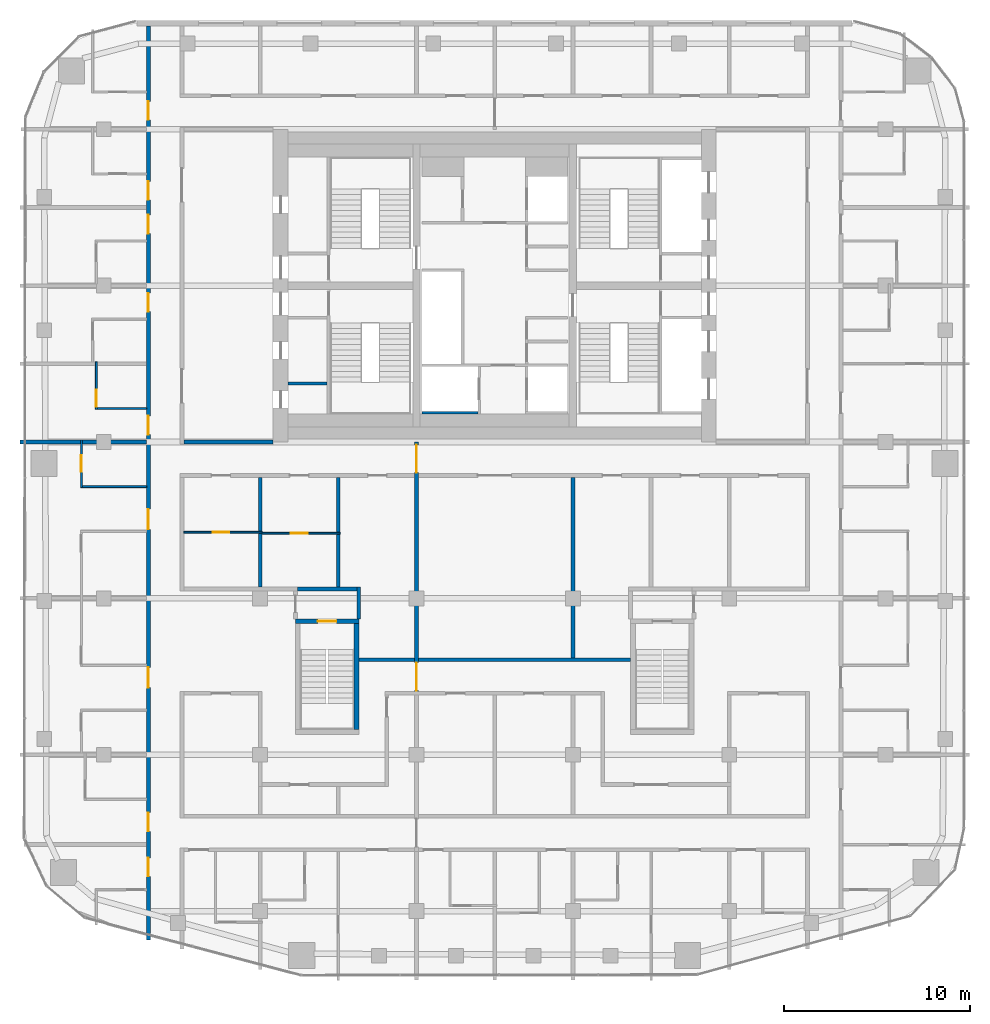
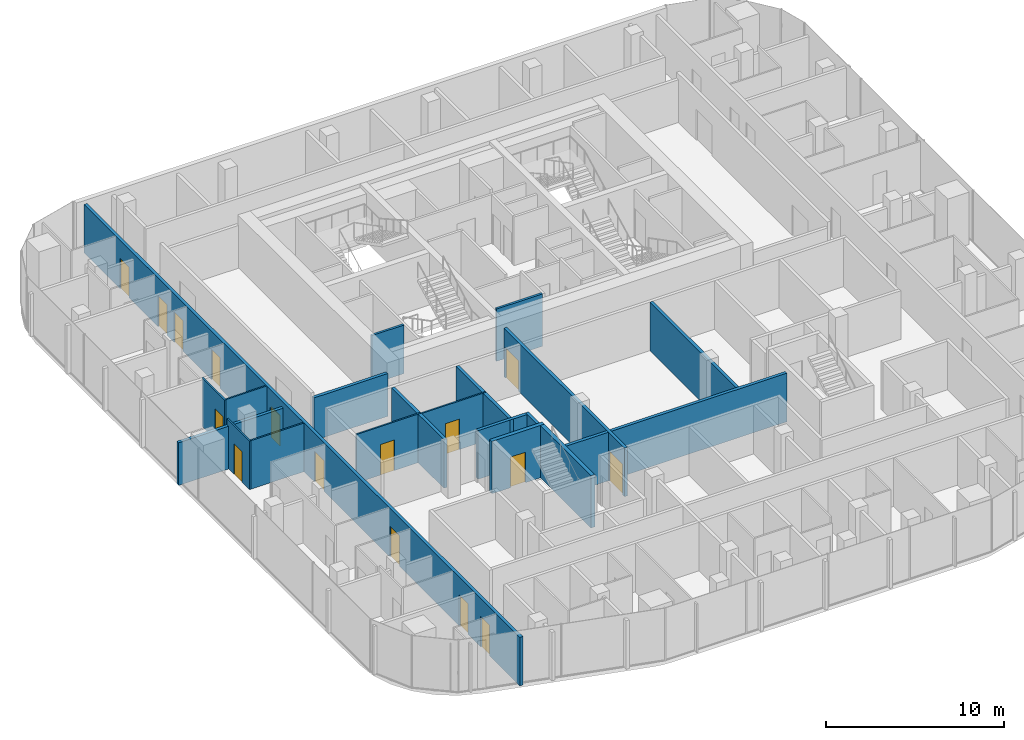
# One storey, part 15 of 22: 20 walls, 16 doors, 16 openings.
"""IFC4 building model written with IfcOpenShell, lengths in metres."""

from ifc_helpers import new_model, si_unit, direction, frame, frame_2d, origin, place, context, subcontext, project, spatial, rectangle, extrude, material, layer, layer_set, type_object, element, fill, save


model = new_model("IFC4")

# Units and contexts
model_context = context("Model", 3, precision=1e-05, world=origin(), true_north=direction((0.0, 1.0)))
body_context = subcontext(model_context, "Body", "Model", "MODEL_VIEW")
ifc_project = project(units=[si_unit("LENGTHUNIT", "METRE"), si_unit("AREAUNIT", "SQUARE_METRE"), si_unit("VOLUMEUNIT", "CUBIC_METRE"), si_unit("PLANEANGLEUNIT", "RADIAN"), si_unit("MASSUNIT", "GRAM", prefix="KILO")], contexts=[model_context])

# Site, building, storey
site_placement = place(None, origin())
site = spatial("IfcSite", under=ifc_project, at=site_placement, CompositionType="ELEMENT")
building_placement = place(site_placement, origin())
building = spatial("IfcBuilding", under=site, at=building_placement, Name="Marenta Gate Hotel Tower", CompositionType="ELEMENT")
storey_placement = place(building_placement, frame((0.0, 0.0, 238.10009765625)))
storey = spatial("IfcBuildingStorey", under=building, at=storey_placement, Name="L56", CompositionType="ELEMENT", Elevation=238.10009765625)

# Wall, openings, doors
ifc_material_1 = material(Name="Concrete blockwork", Category="masonry")
ifc_layer_1 = layer(ifc_material_1, 0.199951171875)
ifc_layer_set_1 = layer_set([ifc_layer_1], Name="Concrete blockwork")
wall_type_1 = type_object("IfcWallType", Name="Compartment wall 200 REI 180", PredefinedType="PARTITIONING", material=ifc_layer_set_1)
wall_1_placement = place(storey_placement, frame((-4.199951171875, -13.60009765625, 0.0), z_axis=(0.0, 0.0, 1.0), x_axis=(0.0, 1.0, 0.0)))
wall_1 = element("IfcWall", 1, at=wall_1_placement, inside=storey, type_object=wall_type_1, Name="L56-PTN-W080", PredefinedType="PARTITIONING", context=body_context, shape_type="SweptSolid", body=[
    extrude(rectangle(XDim=13.60009765625, YDim=0.199951171875, at=frame_2d((6.800048828125, 0.0))), origin(), (0.0, 0.0, 1.0), 3.33984375),
])
opening_1_placement = place(wall_1_placement, frame((11.949951171875, 0.0, 0.0)))
opening_1 = element("IfcOpeningElement", 2, at=opening_1_placement, cuts=wall_1, Name="Opening G20-FD2", PredefinedType="OPENING", context=body_context, shape_type="SweptSolid", body=[
    extrude(rectangle(XDim=1.5, YDim=2.10009765625, at=frame_2d((0.75, 1.050048828125))), frame((0.0, 0.10009765625, 0.0), z_axis=(0.0, -1.0, 0.0), x_axis=(1.0, 0.0, 0.0)), (0.0, 0.0, 1.0), 0.199951171875),
])
opening_2_placement = place(wall_1_placement, frame((0.25, 0.0, 0.0)))
opening_2 = element("IfcOpeningElement", 3, at=opening_2_placement, cuts=wall_1, Name="Opening G20-FD3", PredefinedType="OPENING", context=body_context, shape_type="SweptSolid", body=[
    extrude(rectangle(XDim=1.5, YDim=2.10009765625, at=frame_2d((0.75, 1.050048828125))), frame((0.0, 0.10009765625, 0.0), z_axis=(0.0, -1.0, 0.0), x_axis=(1.0, 0.0, 0.0)), (0.0, 0.0, 1.0), 0.199951171875),
])
ifc_material_2 = material(Name="Hollow steel door set", Category="steel")
door_type_1 = type_object("IfcDoorType", Name="Compartment fire door 1500x2100 EI 60", OperationType="DOUBLE_DOOR_DOUBLE_SWING", PredefinedType="DOOR", material=ifc_material_2)
door_1_placement = place(opening_1_placement, origin())
door_1 = element("IfcDoor", 4, at=door_1_placement, inside=storey, type_object=door_type_1, Name="L56-PD-FD02", OperationType="DOUBLE_DOOR_DOUBLE_SWING", OverallHeight=2.10009765625, OverallWidth=1.5, PredefinedType="DOOR", context=body_context, shape_type="SweptSolid", body=[
    extrude(rectangle(XDim=1.5, YDim=2.10009765625, at=frame_2d((0.75, 1.050048828125))), frame((0.0, 0.02490234375, 0.0), z_axis=(0.0, -1.0, 0.0), x_axis=(1.0, 0.0, 0.0)), (0.0, 0.0, 1.0), 0.050048828125),
])
fill(opening_1, door_1)
door_2_placement = place(opening_2_placement, origin())
door_2 = element("IfcDoor", 5, at=door_2_placement, inside=storey, type_object=door_type_1, Name="L56-PD-FD03", OperationType="DOUBLE_DOOR_DOUBLE_SWING", OverallHeight=2.10009765625, OverallWidth=1.5, PredefinedType="DOOR", context=body_context, shape_type="SweptSolid", body=[
    extrude(rectangle(XDim=1.5, YDim=2.10009765625, at=frame_2d((0.75, 1.050048828125))), frame((0.0, 0.02490234375, 0.0), z_axis=(0.0, -1.0, 0.0), x_axis=(1.0, 0.0, 0.0)), (0.0, 0.0, 1.0), 0.050048828125),
])
fill(opening_2, door_2)

# Walls
ifc_material_3 = material(Name="Concrete blockwork", Category="masonry")
ifc_layer_2 = layer(ifc_material_3, 0.199951171875)
ifc_layer_set_2 = layer_set([ifc_layer_2], Name="Concrete blockwork")
wall_type_2 = type_object("IfcWallType", Name="Core boundary wall 200 REI 180", PredefinedType="PARTITIONING", material=ifc_layer_set_2)
wall_2_placement = place(storey_placement, frame((-16.699951171875, 0.0, 0.0), z_axis=(0.0, 0.0, 1.0), x_axis=(1.0, 0.0, 0.0)))
element("IfcWall", 6, at=wall_2_placement, inside=storey, type_object=wall_type_2, Name="L56-CP-EW-WS", PredefinedType="PARTITIONING", context=body_context, shape_type="SweptSolid", body=[
    extrude(rectangle(XDim=4.800048828125, YDim=0.199951171875, at=frame_2d((2.39990234375, 0.0))), origin(), (0.0, 0.0, 1.0), 2.93994140625),
])
ifc_material_4 = material(Name="Concrete blockwork", Category="masonry")
ifc_layer_3 = layer(ifc_material_4, 0.14990234375)
ifc_layer_set_3 = layer_set([ifc_layer_3], Name="Concrete blockwork")
wall_type_3 = type_object("IfcWallType", Name="Core room partition 150 REI 180", PredefinedType="PARTITIONING", material=ifc_layer_set_3)
wall_3_placement = place(storey_placement, frame((-11.10009765625, 3.14990234375, 0.0), z_axis=(0.0, 0.0, 1.0), x_axis=(1.0, 0.0, 0.0)))
element("IfcWall", 7, at=wall_3_placement, inside=storey, type_object=wall_type_3, Name="L56-CP-RW-WS-1", PredefinedType="PARTITIONING", context=body_context, shape_type="SweptSolid", body=[
    extrude(rectangle(XDim=2.10009765625, YDim=0.14990234375, at=frame_2d((1.050048828125, 0.0))), origin(), (0.0, 0.0, 1.0), 3.33984375),
])
ifc_material_5 = material(Name="Concrete C40", Category="concrete")
ifc_layer_4 = layer(ifc_material_5, 0.14990234375)
ifc_layer_set_4 = layer_set([ifc_layer_4], Name="Concrete C40")
wall_type_4 = type_object("IfcWallType", Name="Core shaft wall 150 REI 180", PredefinedType="SHEAR", material=ifc_layer_set_4)
wall_4_placement = place(storey_placement, frame((-3.89990234375, 1.574951171875, 0.0), z_axis=(0.0, 0.0, 1.0), x_axis=(1.0, 0.0, 0.0)))
element("IfcWall", 8, at=wall_4_placement, inside=storey, type_object=wall_type_4, Name="L56-SHF-CW-W-ffs", PredefinedType="SHEAR", context=body_context, shape_type="SweptSolid", body=[
    extrude(rectangle(XDim=3.0, YDim=0.14990234375, at=frame_2d((1.5, 0.0))), origin(), (0.0, 0.0, 1.0), 3.599853515625),
])

# Wall, opening, door
ifc_material_6 = material(Name="Concrete C40", Category="concrete")
ifc_layer_5 = layer(ifc_material_6, 0.25)
ifc_layer_set_5 = layer_set([ifc_layer_5], Name="Concrete C40")
wall_type_5 = type_object("IfcWallType", Name="Remote stair enclosure wall 250 REI 180", PredefinedType="SHEAR", material=ifc_layer_set_5)
wall_5_placement = place(storey_placement, frame((-10.699951171875, -9.625, 0.099853515625), z_axis=(0.0, 0.0, 1.0), x_axis=(1.0, 0.0, 0.0)))
wall_5 = element("IfcWall", 9, at=wall_5_placement, inside=storey, type_object=wall_type_5, Name="L56-RS-Z3-1-W2", PredefinedType="SHEAR", context=body_context, shape_type="SweptSolid", body=[
    extrude(rectangle(XDim=3.39990234375, YDim=0.25, at=frame_2d((1.699951171875, 0.0))), origin(), (0.0, 0.0, 1.0), 3.60009765625),
])
opening_3_placement = place(wall_5_placement, frame((1.199951171875, 0.0, 0.0)))
opening_3 = element("IfcOpeningElement", 10, at=opening_3_placement, cuts=wall_5, Name="Opening VD", PredefinedType="OPENING", context=body_context, shape_type="SweptSolid", body=[
    extrude(rectangle(XDim=1.0, YDim=2.10009765625, at=frame_2d((0.5, 1.050048828125))), frame((0.0, 0.125, 0.0), z_axis=(0.0, -1.0, 0.0), x_axis=(1.0, 0.0, 0.0)), (0.0, 0.0, 1.0), 0.25),
])
ifc_material_7 = material(Name="Steel", Category="steel")
door_type_2 = type_object("IfcDoorType", Name="Stair vestibule door 1000x2100 FD60", OperationType="SINGLE_SWING_LEFT", PredefinedType="DOOR", material=ifc_material_7)
door_3_placement = place(opening_3_placement, origin())
door_3 = element("IfcDoor", 11, at=door_3_placement, inside=storey, type_object=door_type_2, Name="VD", OperationType="SINGLE_SWING_LEFT", OverallHeight=2.10009765625, OverallWidth=1.0, PredefinedType="DOOR", context=body_context, shape_type="SweptSolid", body=[
    extrude(rectangle(XDim=1.0, YDim=2.10009765625, at=frame_2d((0.5, 1.050048828125))), frame((0.0, 0.02490234375, 0.0), z_axis=(0.0, -1.0, 0.0), x_axis=(1.0, 0.0, 0.0)), (0.0, 0.0, 1.0), 0.050048828125),
])
fill(opening_3, door_3)

# Walls
wall_6_placement = place(storey_placement, frame((-7.425048828125, -15.449951171875, 0.099853515625), z_axis=(0.0, 0.0, 1.0), x_axis=(0.0, 1.0, 0.0)))
element("IfcWall", 12, at=wall_6_placement, inside=storey, type_object=wall_type_5, Name="L56-RS-Z3-1-W4", PredefinedType="SHEAR", context=body_context, shape_type="SweptSolid", body=[
    extrude(rectangle(XDim=5.699951171875, YDim=0.25, at=frame_2d((2.85009765625, 0.0))), origin(), (0.0, 0.0, 1.0), 3.60009765625),
])
ifc_material_8 = material(Name="Gypsum board on steel stud", Category="steel")
ifc_layer_6 = layer(ifc_material_8, 0.199951171875)
ifc_layer_set_6 = layer_set([ifc_layer_6], Name="Gypsum board on steel stud")
wall_type_6 = type_object("IfcWallType", Name="Room corridor wall 200 EI 60", PredefinedType="PARTITIONING", material=ifc_layer_set_6)
wall_7_placement = place(storey_placement, frame((-7.300048828125, -11.699951171875, 0.0), z_axis=(0.0, 0.0, 1.0), x_axis=(1.0, 0.0, 0.0)))
element("IfcWall", 13, at=wall_7_placement, inside=storey, type_object=wall_type_6, Name="L56-PTN-W045", PredefinedType="PARTITIONING", context=body_context, shape_type="SweptSolid", body=[
    extrude(rectangle(XDim=14.60009765625, YDim=0.199951171875, at=frame_2d((7.300048828125, 0.0))), origin(), (0.0, 0.0, 1.0), 3.33984375),
])

# Wall, openings, doors
wall_8_placement = place(storey_placement, frame((-18.60009765625, -26.7509765625, 0.0), z_axis=(0.0, 0.0, 1.0), x_axis=(0.0, 1.0, 0.0)))
wall_8 = element("IfcWall", 14, at=wall_8_placement, inside=storey, type_object=wall_type_6, Name="L56-PTN-W113", PredefinedType="PARTITIONING", context=body_context, shape_type="SweptSolid", body=[
    extrude(rectangle(XDim=49.091064453125, YDim=0.199951171875, at=frame_2d((24.54541015625, 0.0))), origin(), (0.0, 0.0, 1.0), 3.33984375),
])
opening_4_placement = place(wall_8_placement, frame((3.4130859375, 0.0, 0.0)))
opening_4 = element("IfcOpeningElement", 15, at=opening_4_placement, cuts=wall_8, Name="Opening G20-52", PredefinedType="OPENING", context=body_context, shape_type="SweptSolid", body=[
    extrude(rectangle(XDim=1.0, YDim=2.10009765625, at=frame_2d((0.5, 1.050048828125))), frame((0.0, 0.10009765625, 0.0), z_axis=(0.0, -1.0, 0.0), x_axis=(1.0, 0.0, 0.0)), (0.0, 0.0, 1.0), 0.199951171875),
])
opening_5_placement = place(wall_8_placement, frame((5.837890625, 0.0, 0.0)))
opening_5 = element("IfcOpeningElement", 16, at=opening_5_placement, cuts=wall_8, Name="Opening G20-54", PredefinedType="OPENING", context=body_context, shape_type="SweptSolid", body=[
    extrude(rectangle(XDim=1.0, YDim=2.10009765625, at=frame_2d((0.5, 1.050048828125))), frame((0.0, 0.10009765625, 0.0), z_axis=(0.0, -1.0, 0.0), x_axis=(1.0, 0.0, 0.0)), (0.0, 0.0, 1.0), 0.199951171875),
])
opening_6_placement = place(wall_8_placement, frame((13.551025390625, 0.0, 0.0)))
opening_6 = element("IfcOpeningElement", 17, at=opening_6_placement, cuts=wall_8, Name="Opening G20-56", PredefinedType="OPENING", context=body_context, shape_type="SweptSolid", body=[
    extrude(rectangle(XDim=1.10009765625, YDim=2.10009765625, at=frame_2d((0.550048828125, 1.050048828125))), frame((0.0, 0.10009765625, 0.0), z_axis=(0.0, -1.0, 0.0), x_axis=(1.0, 0.0, 0.0)), (0.0, 0.0, 1.0), 0.199951171875),
])
opening_7_placement = place(wall_8_placement, frame((22.051025390625, 0.0, 0.0)))
opening_7 = element("IfcOpeningElement", 18, at=opening_7_placement, cuts=wall_8, Name="Opening G20-59", PredefinedType="OPENING", context=body_context, shape_type="SweptSolid", body=[
    extrude(rectangle(XDim=1.10009765625, YDim=2.10009765625, at=frame_2d((0.550048828125, 1.050048828125))), frame((0.0, 0.10009765625, 0.0), z_axis=(0.0, -1.0, 0.0), x_axis=(1.0, 0.0, 0.0)), (0.0, 0.0, 1.0), 0.199951171875),
])
opening_8_placement = place(wall_8_placement, frame((27.15087890625, 0.0, 0.0)))
opening_8 = element("IfcOpeningElement", 19, at=opening_8_placement, cuts=wall_8, Name="Opening G20-62", PredefinedType="OPENING", context=body_context, shape_type="SweptSolid", body=[
    extrude(rectangle(XDim=1.0, YDim=2.10009765625, at=frame_2d((0.5, 1.050048828125))), frame((0.0, 0.10009765625, 0.0), z_axis=(0.0, -1.0, 0.0), x_axis=(1.0, 0.0, 0.0)), (0.0, 0.0, 1.0), 0.199951171875),
])
opening_9_placement = place(wall_8_placement, frame((33.7509765625, 0.0, 0.0)))
opening_9 = element("IfcOpeningElement", 20, at=opening_9_placement, cuts=wall_8, Name="Opening G20-64", PredefinedType="OPENING", context=body_context, shape_type="SweptSolid", body=[
    extrude(rectangle(XDim=1.0, YDim=2.10009765625, at=frame_2d((0.5, 1.050048828125))), frame((0.0, 0.10009765625, 0.0), z_axis=(0.0, -1.0, 0.0), x_axis=(1.0, 0.0, 0.0)), (0.0, 0.0, 1.0), 0.199951171875),
])
opening_10_placement = place(wall_8_placement, frame((37.950927734375, 0.0, 0.0)))
opening_10 = element("IfcOpeningElement", 21, at=opening_10_placement, cuts=wall_8, Name="Opening G20-66", PredefinedType="OPENING", context=body_context, shape_type="SweptSolid", body=[
    extrude(rectangle(XDim=1.0, YDim=2.10009765625, at=frame_2d((0.5, 1.050048828125))), frame((0.0, 0.10009765625, 0.0), z_axis=(0.0, -1.0, 0.0), x_axis=(1.0, 0.0, 0.0)), (0.0, 0.0, 1.0), 0.199951171875),
])
opening_11_placement = place(wall_8_placement, frame((39.7509765625, 0.0, 0.0)))
opening_11 = element("IfcOpeningElement", 22, at=opening_11_placement, cuts=wall_8, Name="Opening G20-68", PredefinedType="OPENING", context=body_context, shape_type="SweptSolid", body=[
    extrude(rectangle(XDim=1.0, YDim=2.10009765625, at=frame_2d((0.5, 1.050048828125))), frame((0.0, 0.10009765625, 0.0), z_axis=(0.0, -1.0, 0.0), x_axis=(1.0, 0.0, 0.0)), (0.0, 0.0, 1.0), 0.199951171875),
])
opening_12_placement = place(wall_8_placement, frame((44.051025390625, 0.0, 0.0)))
opening_12 = element("IfcOpeningElement", 23, at=opening_12_placement, cuts=wall_8, Name="Opening G20-70", PredefinedType="OPENING", context=body_context, shape_type="SweptSolid", body=[
    extrude(rectangle(XDim=1.0, YDim=2.10009765625, at=frame_2d((0.5, 1.050048828125))), frame((0.0, 0.10009765625, 0.0), z_axis=(0.0, -1.0, 0.0), x_axis=(1.0, 0.0, 0.0)), (0.0, 0.0, 1.0), 0.199951171875),
])
ifc_material_9 = material(Name="Timber door leaf", Category="wood")
door_type_3 = type_object("IfcDoorType", Name="Guest room door 1000x2100 EI 30", OperationType="NOTDEFINED", PredefinedType="DOOR", material=ifc_material_9)
door_4_placement = place(opening_4_placement, origin())
door_4 = element("IfcDoor", 24, at=door_4_placement, inside=storey, type_object=door_type_3, Name="L56-PD-D052", OperationType="SINGLE_SWING_LEFT", OverallHeight=2.10009765625, OverallWidth=1.0, PredefinedType="DOOR", context=body_context, shape_type="SweptSolid", body=[
    extrude(rectangle(XDim=1.0, YDim=2.10009765625, at=frame_2d((0.5, 1.050048828125))), frame((0.0, 0.02490234375, 0.0), z_axis=(0.0, -1.0, 0.0), x_axis=(1.0, 0.0, 0.0)), (0.0, 0.0, 1.0), 0.050048828125),
])
fill(opening_4, door_4)
door_5_placement = place(opening_5_placement, origin())
door_5 = element("IfcDoor", 25, at=door_5_placement, inside=storey, type_object=door_type_3, Name="L56-PD-D054", OperationType="SINGLE_SWING_LEFT", OverallHeight=2.10009765625, OverallWidth=1.0, PredefinedType="DOOR", context=body_context, shape_type="SweptSolid", body=[
    extrude(rectangle(XDim=1.0, YDim=2.10009765625, at=frame_2d((0.5, 1.050048828125))), frame((0.0, 0.02490234375, 0.0), z_axis=(0.0, -1.0, 0.0), x_axis=(1.0, 0.0, 0.0)), (0.0, 0.0, 1.0), 0.050048828125),
])
fill(opening_5, door_5)
door_6_placement = place(opening_8_placement, origin())
door_6 = element("IfcDoor", 26, at=door_6_placement, inside=storey, type_object=door_type_3, Name="L56-PD-D062", OperationType="SINGLE_SWING_LEFT", OverallHeight=2.10009765625, OverallWidth=1.0, PredefinedType="DOOR", context=body_context, shape_type="SweptSolid", body=[
    extrude(rectangle(XDim=1.0, YDim=2.10009765625, at=frame_2d((0.5, 1.050048828125))), frame((0.0, 0.02490234375, 0.0), z_axis=(0.0, -1.0, 0.0), x_axis=(1.0, 0.0, 0.0)), (0.0, 0.0, 1.0), 0.050048828125),
])
fill(opening_8, door_6)
door_7_placement = place(opening_9_placement, origin())
door_7 = element("IfcDoor", 27, at=door_7_placement, inside=storey, type_object=door_type_3, Name="L56-PD-D064", OperationType="SINGLE_SWING_LEFT", OverallHeight=2.10009765625, OverallWidth=1.0, PredefinedType="DOOR", context=body_context, shape_type="SweptSolid", body=[
    extrude(rectangle(XDim=1.0, YDim=2.10009765625, at=frame_2d((0.5, 1.050048828125))), frame((0.0, 0.02490234375, 0.0), z_axis=(0.0, -1.0, 0.0), x_axis=(1.0, 0.0, 0.0)), (0.0, 0.0, 1.0), 0.050048828125),
])
fill(opening_9, door_7)
door_8_placement = place(opening_10_placement, origin())
door_8 = element("IfcDoor", 28, at=door_8_placement, inside=storey, type_object=door_type_3, Name="L56-PD-D066", OperationType="SINGLE_SWING_LEFT", OverallHeight=2.10009765625, OverallWidth=1.0, PredefinedType="DOOR", context=body_context, shape_type="SweptSolid", body=[
    extrude(rectangle(XDim=1.0, YDim=2.10009765625, at=frame_2d((0.5, 1.050048828125))), frame((0.0, 0.02490234375, 0.0), z_axis=(0.0, -1.0, 0.0), x_axis=(1.0, 0.0, 0.0)), (0.0, 0.0, 1.0), 0.050048828125),
])
fill(opening_10, door_8)
door_9_placement = place(opening_11_placement, origin())
door_9 = element("IfcDoor", 29, at=door_9_placement, inside=storey, type_object=door_type_3, Name="L56-PD-D068", OperationType="SINGLE_SWING_LEFT", OverallHeight=2.10009765625, OverallWidth=1.0, PredefinedType="DOOR", context=body_context, shape_type="SweptSolid", body=[
    extrude(rectangle(XDim=1.0, YDim=2.10009765625, at=frame_2d((0.5, 1.050048828125))), frame((0.0, 0.02490234375, 0.0), z_axis=(0.0, -1.0, 0.0), x_axis=(1.0, 0.0, 0.0)), (0.0, 0.0, 1.0), 0.050048828125),
])
fill(opening_11, door_9)
door_10_placement = place(opening_12_placement, origin())
door_10 = element("IfcDoor", 30, at=door_10_placement, inside=storey, type_object=door_type_3, Name="L56-PD-D070", OperationType="SINGLE_SWING_LEFT", OverallHeight=2.10009765625, OverallWidth=1.0, PredefinedType="DOOR", context=body_context, shape_type="SweptSolid", body=[
    extrude(rectangle(XDim=1.0, YDim=2.10009765625, at=frame_2d((0.5, 1.050048828125))), frame((0.0, 0.02490234375, 0.0), z_axis=(0.0, -1.0, 0.0), x_axis=(1.0, 0.0, 0.0)), (0.0, 0.0, 1.0), 0.050048828125),
])
fill(opening_12, door_10)
ifc_material_10 = material(Name="Timber door leaf", Category="wood")
door_type_4 = type_object("IfcDoorType", Name="Guest room door 1100x2100 EI 30", OperationType="NOTDEFINED", PredefinedType="DOOR", material=ifc_material_10)
door_11_placement = place(opening_6_placement, origin())
door_11 = element("IfcDoor", 31, at=door_11_placement, inside=storey, type_object=door_type_4, Name="L56-PD-D056", OperationType="SINGLE_SWING_RIGHT", OverallHeight=2.10009765625, OverallWidth=1.10009765625, PredefinedType="DOOR", context=body_context, shape_type="SweptSolid", body=[
    extrude(rectangle(XDim=1.10009765625, YDim=2.10009765625, at=frame_2d((0.550048828125, 1.050048828125))), frame((0.0, 0.02490234375, 0.0), z_axis=(0.0, -1.0, 0.0), x_axis=(1.0, 0.0, 0.0)), (0.0, 0.0, 1.0), 0.050048828125),
])
fill(opening_6, door_11)
door_12_placement = place(opening_7_placement, origin())
door_12 = element("IfcDoor", 32, at=door_12_placement, inside=storey, type_object=door_type_4, Name="L56-PD-D059", OperationType="SINGLE_SWING_LEFT", OverallHeight=2.10009765625, OverallWidth=1.10009765625, PredefinedType="DOOR", context=body_context, shape_type="SweptSolid", body=[
    extrude(rectangle(XDim=1.10009765625, YDim=2.10009765625, at=frame_2d((0.550048828125, 1.050048828125))), frame((0.0, 0.02490234375, 0.0), z_axis=(0.0, -1.0, 0.0), x_axis=(1.0, 0.0, 0.0)), (0.0, 0.0, 1.0), 0.050048828125),
])
fill(opening_7, door_12)

# Wall, opening, door
ifc_material_11 = material(Name="Gypsum board on steel stud", Category="steel")
ifc_layer_7 = layer(ifc_material_11, 0.10009765625)
ifc_layer_set_7 = layer_set([ifc_layer_7], Name="Gypsum board on steel stud")
wall_type_7 = type_object("IfcWallType", Name="Room partition 100", PredefinedType="PARTITIONING", material=ifc_layer_set_7)
wall_9_placement = place(storey_placement, frame((-12.5, -4.89990234375, 0.0), z_axis=(0.0, 0.0, 1.0), x_axis=(1.0, 0.0, 0.0)))
wall_9 = element("IfcWall", 33, at=wall_9_placement, inside=storey, type_object=wall_type_7, Name="L56-PTN-W059", PredefinedType="PARTITIONING", context=body_context, shape_type="SweptSolid", body=[
    extrude(rectangle(XDim=4.199951171875, YDim=0.10009765625, at=frame_2d((2.10009765625, 0.0))), origin(), (0.0, 0.0, 1.0), 3.33984375),
])
opening_13_placement = place(wall_9_placement, frame((1.550048828125, 0.0, 0.0)))
opening_13 = element("IfcOpeningElement", 34, at=opening_13_placement, cuts=wall_9, Name="Opening G20-04", PredefinedType="OPENING", context=body_context, shape_type="SweptSolid", body=[
    extrude(rectangle(XDim=0.89990234375, YDim=2.10009765625, at=frame_2d((0.449951171875, 1.050048828125))), frame((0.0, 0.050048828125, 0.0), z_axis=(0.0, -1.0, 0.0), x_axis=(1.0, 0.0, 0.0)), (0.0, 0.0, 1.0), 0.10009765625),
])
ifc_material_12 = material(Name="Timber door leaf", Category="wood")
door_type_5 = type_object("IfcDoorType", Name="Room inner door 900x2100", OperationType="NOTDEFINED", PredefinedType="DOOR", material=ifc_material_12)
door_13_placement = place(opening_13_placement, origin())
door_13 = element("IfcDoor", 35, at=door_13_placement, inside=storey, type_object=door_type_5, Name="L56-PD-D004", OperationType="SINGLE_SWING_RIGHT", OverallHeight=2.10009765625, OverallWidth=0.89990234375, PredefinedType="DOOR", context=body_context, shape_type="SweptSolid", body=[
    extrude(rectangle(XDim=0.89990234375, YDim=2.10009765625, at=frame_2d((0.449951171875, 1.050048828125))), frame((0.0, 0.02490234375, 0.0), z_axis=(0.0, -1.0, 0.0), x_axis=(1.0, 0.0, 0.0)), (0.0, 0.0, 1.0), 0.050048828125),
])
fill(opening_13, door_13)

wall_10_placement = place(storey_placement, frame((-16.699951171875, -4.85009765625, 0.0), z_axis=(0.0, 0.0, 1.0), x_axis=(1.0, 0.0, 0.0)))
wall_10 = element("IfcWall", 36, at=wall_10_placement, inside=storey, type_object=wall_type_7, Name="L56-PTN-W060", PredefinedType="PARTITIONING", context=body_context, shape_type="SweptSolid", body=[
    extrude(rectangle(XDim=4.199951171875, YDim=0.10009765625, at=frame_2d((2.10009765625, 0.0))), origin(), (0.0, 0.0, 1.0), 3.33984375),
])
opening_14_placement = place(wall_10_placement, frame((1.550048828125, 0.0, 0.0)))
opening_14 = element("IfcOpeningElement", 37, at=opening_14_placement, cuts=wall_10, Name="Opening G20-02", PredefinedType="OPENING", context=body_context, shape_type="SweptSolid", body=[
    extrude(rectangle(XDim=0.89990234375, YDim=2.10009765625, at=frame_2d((0.449951171875, 1.050048828125))), frame((0.0, 0.050048828125, 0.0), z_axis=(0.0, -1.0, 0.0), x_axis=(1.0, 0.0, 0.0)), (0.0, 0.0, 1.0), 0.10009765625),
])
door_14_placement = place(opening_14_placement, origin())
door_14 = element("IfcDoor", 38, at=door_14_placement, inside=storey, type_object=door_type_5, Name="L56-PD-D002", OperationType="SINGLE_SWING_RIGHT", OverallHeight=2.10009765625, OverallWidth=0.89990234375, PredefinedType="DOOR", context=body_context, shape_type="SweptSolid", body=[
    extrude(rectangle(XDim=0.89990234375, YDim=2.10009765625, at=frame_2d((0.449951171875, 1.050048828125))), frame((0.0, 0.02490234375, 0.0), z_axis=(0.0, -1.0, 0.0), x_axis=(1.0, 0.0, 0.0)), (0.0, 0.0, 1.0), 0.050048828125),
])
fill(opening_14, door_14)

# Walls
wall_11_placement = place(storey_placement, frame((-22.14990234375, -2.39990234375, 0.0), z_axis=(0.0, 0.0, 1.0), x_axis=(1.0, 0.0, 0.0)))
element("IfcWall", 39, at=wall_11_placement, inside=storey, type_object=wall_type_7, Name="L56-PTN-W068", PredefinedType="PARTITIONING", context=body_context, shape_type="SweptSolid", body=[
    extrude(rectangle(XDim=3.449951171875, YDim=0.10009765625, at=frame_2d((1.72509765625, 0.0))), origin(), (0.0, 0.0, 1.0), 3.33984375),
])
wall_12_placement = place(storey_placement, frame((-21.35009765625, 1.800048828125, 0.0), z_axis=(0.0, 0.0, 1.0), x_axis=(1.0, 0.0, 0.0)))
element("IfcWall", 40, at=wall_12_placement, inside=storey, type_object=wall_type_7, Name="L56-PTN-W076", PredefinedType="PARTITIONING", context=body_context, shape_type="SweptSolid", body=[
    extrude(rectangle(XDim=2.650146484375, YDim=0.10009765625, at=frame_2d((1.3251953125, 0.0))), origin(), (0.0, 0.0, 1.0), 3.33984375),
])

# Wall, opening, door
wall_13_placement = place(storey_placement, frame((-21.39990234375, 1.75, 0.0), z_axis=(0.0, 0.0, 1.0), x_axis=(0.0, 1.0, 0.0)))
wall_13 = element("IfcWall", 41, at=wall_13_placement, inside=storey, type_object=wall_type_7, Name="L56-PTN-W118", PredefinedType="PARTITIONING", context=body_context, shape_type="SweptSolid", body=[
    extrude(rectangle(XDim=2.550048828125, YDim=0.10009765625, at=frame_2d((1.27490234375, 0.0))), origin(), (0.0, 0.0, 1.0), 3.33984375),
])
opening_15_placement = place(wall_13_placement, frame((0.14990234375, 0.0, 0.0)))
opening_15 = element("IfcOpeningElement", 42, at=opening_15_placement, cuts=wall_13, Name="Opening G20-63", PredefinedType="OPENING", context=body_context, shape_type="SweptSolid", body=[
    extrude(rectangle(XDim=0.89990234375, YDim=2.10009765625, at=frame_2d((0.449951171875, 1.050048828125))), frame((0.0, 0.050048828125, 0.0), z_axis=(0.0, -1.0, 0.0), x_axis=(1.0, 0.0, 0.0)), (0.0, 0.0, 1.0), 0.10009765625),
])
ifc_material_13 = material(Name="Timber door leaf", Category="wood")
door_type_6 = type_object("IfcDoorType", Name="Guest bathroom door 900x2100", OperationType="NOTDEFINED", PredefinedType="DOOR", material=ifc_material_13)
door_15_placement = place(opening_15_placement, origin())
door_15 = element("IfcDoor", 43, at=door_15_placement, inside=storey, type_object=door_type_6, Name="L56-PD-D063", OperationType="SINGLE_SWING_RIGHT", OverallHeight=2.10009765625, OverallWidth=0.89990234375, PredefinedType="DOOR", context=body_context, shape_type="SweptSolid", body=[
    extrude(rectangle(XDim=0.89990234375, YDim=2.10009765625, at=frame_2d((0.449951171875, 1.050048828125))), frame((0.0, 0.02490234375, 0.0), z_axis=(0.0, -1.0, 0.0), x_axis=(1.0, 0.0, 0.0)), (0.0, 0.0, 1.0), 0.050048828125),
])
fill(opening_15, door_15)

wall_14_placement = place(storey_placement, frame((-22.199951171875, -2.449951171875, 0.0), z_axis=(0.0, 0.0, 1.0), x_axis=(0.0, 1.0, 0.0)))
wall_14 = element("IfcWall", 44, at=wall_14_placement, inside=storey, type_object=wall_type_7, Name="L56-PTN-W126", PredefinedType="PARTITIONING", context=body_context, shape_type="SweptSolid", body=[
    extrude(rectangle(XDim=2.550048828125, YDim=0.10009765625, at=frame_2d((1.27490234375, 0.0))), origin(), (0.0, 0.0, 1.0), 3.33984375),
])
opening_16_placement = place(wall_14_placement, frame((0.85009765625, 0.0, 0.0)))
opening_16 = element("IfcOpeningElement", 45, at=opening_16_placement, cuts=wall_14, Name="Opening G20-61", PredefinedType="OPENING", context=body_context, shape_type="SweptSolid", body=[
    extrude(rectangle(XDim=0.89990234375, YDim=2.10009765625, at=frame_2d((0.449951171875, 1.050048828125))), frame((0.0, 0.050048828125, 0.0), z_axis=(0.0, -1.0, 0.0), x_axis=(1.0, 0.0, 0.0)), (0.0, 0.0, 1.0), 0.10009765625),
])
door_16_placement = place(opening_16_placement, origin())
door_16 = element("IfcDoor", 46, at=door_16_placement, inside=storey, type_object=door_type_5, Name="L56-PD-D061", OperationType="SINGLE_SWING_LEFT", OverallHeight=2.10009765625, OverallWidth=0.89990234375, PredefinedType="DOOR", context=body_context, shape_type="SweptSolid", body=[
    extrude(rectangle(XDim=0.89990234375, YDim=2.10009765625, at=frame_2d((0.449951171875, 1.050048828125))), frame((0.0, 0.02490234375, 0.0), z_axis=(0.0, -1.0, 0.0), x_axis=(1.0, 0.0, 0.0)), (0.0, 0.0, 1.0), 0.050048828125),
])
fill(opening_16, door_16)

# Walls
ifc_material_14 = material(Name="Concrete blockwork", Category="masonry")
ifc_layer_8 = layer(ifc_material_14, 0.199951171875)
ifc_layer_set_8 = layer_set([ifc_layer_8], Name="Concrete blockwork")
wall_type_8 = type_object("IfcWallType", Name="Room party wall 200 EI 120", PredefinedType="PARTITIONING", material=ifc_layer_set_8)
wall_15_placement = place(storey_placement, frame((-8.39990234375, -8.0, 0.0), z_axis=(0.0, 0.0, 1.0), x_axis=(0.0, 1.0, 0.0)))
element("IfcWall", 47, at=wall_15_placement, inside=storey, type_object=wall_type_8, Name="L56-PTN-W090", PredefinedType="PARTITIONING", context=body_context, shape_type="SweptSolid", body=[
    extrude(rectangle(XDim=6.10009765625, YDim=0.199951171875, at=frame_2d((3.050048828125, 0.0))), origin(), (0.0, 0.0, 1.0), 3.33984375),
])
wall_16_placement = place(storey_placement, frame((-12.60009765625, -7.800048828125, 0.0), z_axis=(0.0, 0.0, 1.0), x_axis=(0.0, 1.0, 0.0)))
element("IfcWall", 48, at=wall_16_placement, inside=storey, type_object=wall_type_8, Name="L56-PTN-W099", PredefinedType="PARTITIONING", context=body_context, shape_type="SweptSolid", body=[
    extrude(rectangle(XDim=5.900146484375, YDim=0.199951171875, at=frame_2d((2.9501953125, 0.0))), origin(), (0.0, 0.0, 1.0), 3.33984375),
])
ifc_material_15 = material(Name="Gypsum board on steel stud", Category="steel")
ifc_layer_9 = layer(ifc_material_15, 0.199951171875)
ifc_layer_set_9 = layer_set([ifc_layer_9], Name="Gypsum board on steel stud")
wall_type_9 = type_object("IfcWallType", Name="Room party wall 200 EI 60", PredefinedType="PARTITIONING", material=ifc_layer_set_9)
wall_17_placement = place(storey_placement, frame((4.199951171875, -11.60009765625, 0.0), z_axis=(0.0, 0.0, 1.0), x_axis=(0.0, 1.0, 0.0)))
element("IfcWall", 49, at=wall_17_placement, inside=storey, type_object=wall_type_9, Name="L56-PTN-W065", PredefinedType="PARTITIONING", context=body_context, shape_type="SweptSolid", body=[
    extrude(rectangle(XDim=9.7001953125, YDim=0.199951171875, at=frame_2d((4.85009765625, 0.0))), origin(), (0.0, 0.0, 1.0), 3.33984375),
])
wall_18_placement = place(storey_placement, frame((-25.5, 0.0, 0.0), z_axis=(0.0, 0.0, 1.0), x_axis=(1.0, 0.0, 0.0)))
element("IfcWall", 50, at=wall_18_placement, inside=storey, type_object=wall_type_9, Name="L56-PTN-W074", PredefinedType="PARTITIONING", context=body_context, shape_type="SweptSolid", body=[
    extrude(rectangle(XDim=6.800048828125, YDim=0.199951171875, at=frame_2d((3.39990234375, 0.0))), origin(), (0.0, 0.0, 1.0), 2.93994140625),
])
ifc_material_16 = material(Name="Concrete blockwork", Category="masonry")
ifc_layer_10 = layer(ifc_material_16, 0.199951171875)
ifc_layer_set_10 = layer_set([ifc_layer_10], Name="Concrete blockwork")
wall_type_10 = type_object("IfcWallType", Name="Room party wall 200 REI 180", PredefinedType="PARTITIONING", material=ifc_layer_set_10)
wall_19_placement = place(storey_placement, frame((-10.60009765625, -7.89990234375, 0.0), z_axis=(0.0, 0.0, 1.0), x_axis=(1.0, 0.0, 0.0)))
element("IfcWall", 51, at=wall_19_placement, inside=storey, type_object=wall_type_10, Name="L56-PTN-W054", PredefinedType="PARTITIONING", context=body_context, shape_type="SweptSolid", body=[
    extrude(rectangle(XDim=3.2001953125, YDim=0.199951171875, at=frame_2d((1.60009765625, 0.0))), origin(), (0.0, 0.0, 1.0), 3.33984375),
])
wall_20_placement = place(storey_placement, frame((-7.300048828125, -9.5, 0.0), z_axis=(0.0, 0.0, 1.0), x_axis=(0.0, 1.0, 0.0)))
element("IfcWall", 52, at=wall_20_placement, inside=storey, type_object=wall_type_10, Name="L56-PTN-W087", PredefinedType="PARTITIONING", context=body_context, shape_type="SweptSolid", body=[
    extrude(rectangle(XDim=1.699951171875, YDim=0.199951171875, at=frame_2d((0.85009765625, 0.0))), origin(), (0.0, 0.0, 1.0), 3.33984375),
])

save(model, "model.ifc")
